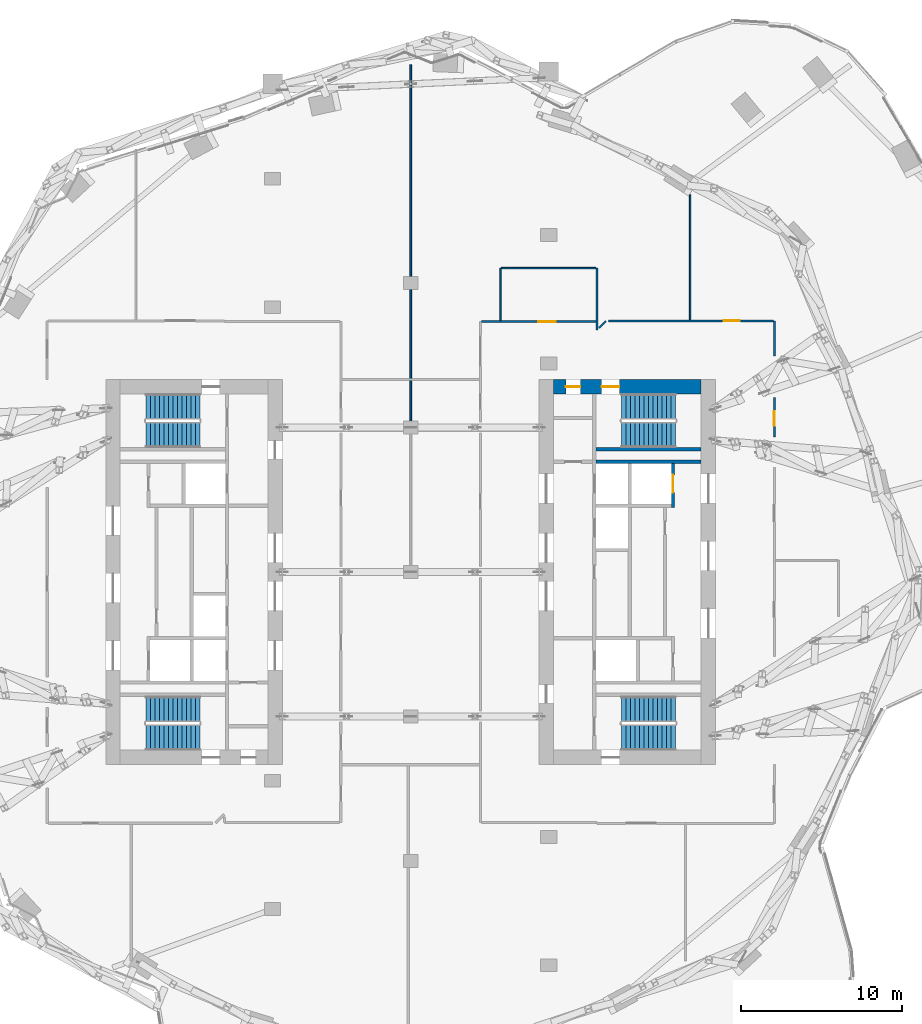
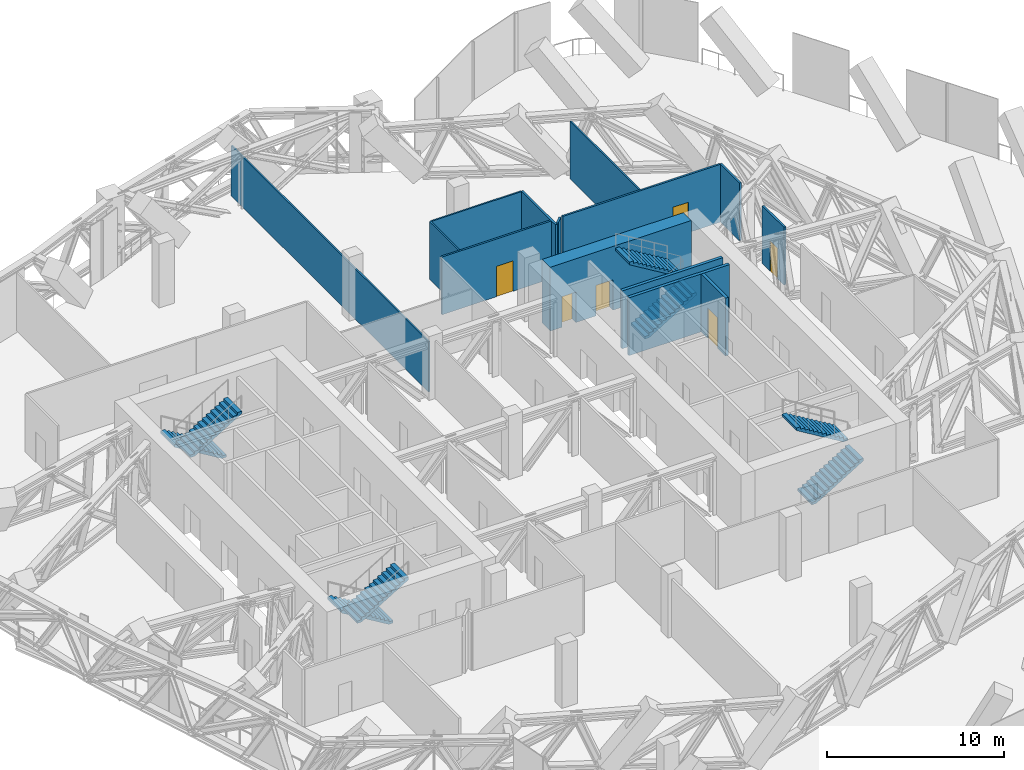
# One storey, part 25 of 31: 14 walls, 8 stair flights, 6 doors, 6 openings, 4 elements without a shape of their own.
"""IFC4 building model written with IfcOpenShell, lengths in metres."""

from ifc_helpers import new_model, si_unit, direction, frame, frame_2d, origin, place, context, subcontext, project, spatial, polyline, rectangle, outline, extrude, material, layer, layer_set, type_object, element, fill, aggregate, save


model = new_model("IFC4")

# Units and contexts
model_context = context("Model", 3, precision=1e-05, world=origin(), true_north=direction((0.0, 1.0)))
body_context = subcontext(model_context, "Body", "Model", "MODEL_VIEW")
ifc_project = project(units=[si_unit("LENGTHUNIT", "METRE"), si_unit("AREAUNIT", "SQUARE_METRE"), si_unit("VOLUMEUNIT", "CUBIC_METRE"), si_unit("PLANEANGLEUNIT", "RADIAN"), si_unit("MASSUNIT", "GRAM", prefix="KILO")], contexts=[model_context])

# Site, building, storey
site_placement = place(None, origin())
site = spatial("IfcSite", under=ifc_project, at=site_placement, CompositionType="ELEMENT")
building_placement = place(site_placement, origin())
building = spatial("IfcBuilding", under=site, at=building_placement, Name="Orlundy Tower", CompositionType="ELEMENT")
storey_placement = place(building_placement, frame((0.0, 0.0, 271.0)))
storey = spatial("IfcBuildingStorey", under=building, at=storey_placement, Name="L72", CompositionType="ELEMENT", Elevation=271.0)

# Wall, openings, doors
ifc_material_1 = material(Name="Concrete C60/75", Category="concrete")
ifc_layer_1 = layer(ifc_material_1, 0.89990234375)
ifc_layer_set_1 = layer_set([ifc_layer_1], Name="CORE WALL 900 C60/75")
wall_type_1 = type_object("IfcWallType", Name="CORE WALL 900 C60/75", PredefinedType="SHEAR", material=ifc_layer_set_1)
wall_1_placement = place(storey_placement, frame((8.89990234375, 11.550048828125, 0.0), z_axis=(0.0, 0.0, 1.0), x_axis=(1.0, 0.0, 0.0)))
wall_1 = element("IfcWall", 1, at=wall_1_placement, inside=storey, type_object=wall_type_1, Name="Core wall E-N L72", PredefinedType="SHEAR", context=body_context, shape_type="SweptSolid", body=[
    extrude(rectangle(XDim=9.2001953125, YDim=0.89990234375, at=frame_2d((4.60009765625, 0.0))), origin(), (0.0, 0.0, 1.0), 4.39990234375),
])
opening_1_placement = place(wall_1_placement, frame((3.0, 0.0, 0.0)))
opening_1 = element("IfcOpeningElement", 2, at=opening_1_placement, cuts=wall_1, Name="Opening 54065", PredefinedType="OPENING", context=body_context, shape_type="SweptSolid", body=[
    extrude(rectangle(XDim=1.10009765625, YDim=2.10009765625, at=frame_2d((0.550048828125, 1.050048828125))), frame((0.0, 0.4599609375, 0.0), z_axis=(0.0, -1.0, 0.0), x_axis=(1.0, 0.0, 0.0)), (0.0, 0.0, 1.0), 0.919921875),
])
opening_2_placement = place(wall_1_placement, frame((0.77001953125, 0.0, 0.0)))
opening_2 = element("IfcOpeningElement", 3, at=opening_2_placement, cuts=wall_1, Name="Opening 54067", PredefinedType="OPENING", context=body_context, shape_type="SweptSolid", body=[
    extrude(rectangle(XDim=0.89990234375, YDim=2.10009765625, at=frame_2d((0.449951171875, 1.050048828125))), frame((0.0, 0.4599609375, 0.0), z_axis=(0.0, -1.0, 0.0), x_axis=(1.0, 0.0, 0.0)), (0.0, 0.0, 1.0), 0.919921875),
])
ifc_material_2 = material(Name="Timber door set", Category="wood")
door_type_1 = type_object("IfcDoorType", Name="Room Door 900x2100", OperationType="SINGLE_SWING_LEFT", PredefinedType="DOOR", material=ifc_material_2)
door_1_placement = place(opening_2_placement, origin())
door_1 = element("IfcDoor", 4, at=door_1_placement, inside=storey, type_object=door_type_1, Name="Store door 54067", OperationType="SINGLE_SWING_LEFT", OverallHeight=2.10009765625, OverallWidth=0.89990234375, PredefinedType="DOOR", context=body_context, shape_type="SweptSolid", body=[
    extrude(rectangle(XDim=0.89990234375, YDim=2.10009765625, at=frame_2d((0.449951171875, 1.050048828125))), frame((0.0, 0.02490234375, 0.0), z_axis=(0.0, -1.0, 0.0), x_axis=(1.0, 0.0, 0.0)), (0.0, 0.0, 1.0), 0.050048828125),
])
fill(opening_2, door_1)
ifc_material_3 = material(Name="Steel door set", Category="steel")
door_type_2 = type_object("IfcDoorType", Name="Stair Door 1100x2100", OperationType="SINGLE_SWING_LEFT", PredefinedType="DOOR", material=ifc_material_3)
door_2_placement = place(opening_1_placement, origin())
door_2 = element("IfcDoor", 5, at=door_2_placement, inside=storey, type_object=door_type_2, Name="Stair door 54065", OperationType="SINGLE_SWING_LEFT", OverallHeight=2.10009765625, OverallWidth=1.10009765625, PredefinedType="DOOR", context=body_context, shape_type="SweptSolid", body=[
    extrude(rectangle(XDim=1.10009765625, YDim=2.10009765625, at=frame_2d((0.550048828125, 1.050048828125))), frame((0.0, 0.02490234375, 0.0), z_axis=(0.0, -1.0, 0.0), x_axis=(1.0, 0.0, 0.0)), (0.0, 0.0, 1.0), 0.050048828125),
])
fill(opening_1, door_2)

# Walls
ifc_material_4 = material(Name="Gypsum board partition")
ifc_layer_2 = layer(ifc_material_4, 0.10009765625)
ifc_layer_set_2 = layer_set([ifc_layer_2], Name="Floor partition 100")
wall_type_2 = type_object("IfcWallType", Name="Floor partition 100", PredefinedType="PARTITIONING", material=ifc_layer_set_2)
wall_2_placement = place(storey_placement, frame((5.64892578125, 18.93310546875, 0.0), z_axis=(0.0, 0.0, 1.0), x_axis=(1.0, 0.0, 0.0)))
element("IfcWall", 6, at=wall_2_placement, inside=storey, type_object=wall_type_2, Name="wall-int-L72-013", PredefinedType="PARTITIONING", context=body_context, shape_type="SweptSolid", body=[
    extrude(rectangle(XDim=5.88818359375, YDim=0.10009765625, at=frame_2d((2.944091796875, 0.0))), origin(), (0.0, 0.0, 1.0), 3.97998046875),
])
wall_3_placement = place(storey_placement, frame((17.405029296875, 15.712890625, 0.0), z_axis=(0.0, 0.0, 1.0), x_axis=(0.0, 1.0, 0.0)))
element("IfcWall", 7, at=wall_3_placement, inside=storey, type_object=wall_type_2, Name="wall-int-L72-021", PredefinedType="PARTITIONING", context=body_context, shape_type="SweptSolid", body=[
    extrude(rectangle(XDim=7.7919921875, YDim=0.10009765625, at=frame_2d((3.89599609375, 0.0))), origin(), (0.0, 0.0, 1.0), 3.97998046875),
])
wall_4_placement = place(storey_placement, frame((5.59912109375, 15.6640625, 0.0), z_axis=(0.0, 0.0, 1.0), x_axis=(0.0, 1.0, 0.0)))
element("IfcWall", 8, at=wall_4_placement, inside=storey, type_object=wall_type_2, Name="wall-int-L72-024", PredefinedType="PARTITIONING", context=body_context, shape_type="SweptSolid", body=[
    extrude(rectangle(XDim=3.26904296875, YDim=0.10009765625, at=frame_2d((1.634521484375, 0.0))), origin(), (0.0, 0.0, 1.0), 3.97998046875),
])
ifc_material_5 = material(Name="Gypsum board partition")
ifc_layer_3 = layer(ifc_material_5, 0.10009765625)
ifc_layer_set_3 = layer_set([ifc_layer_3], Name="Floor partition 100 B")
wall_type_3 = type_object("IfcWallType", Name="Floor partition 100 B", PredefinedType="PARTITIONING", material=ifc_layer_set_3)
wall_5_placement = place(storey_placement, frame((0.0, 9.3349609375, 0.0), z_axis=(0.0, 0.0, 1.0), x_axis=(0.0, 1.0, 0.0)))
element("IfcWall", 9, at=wall_5_placement, inside=storey, type_object=wall_type_3, Name="wall-int-L72-030", PredefinedType="PARTITIONING", context=body_context, shape_type="SweptSolid", body=[
    extrude(rectangle(XDim=22.2861328125, YDim=0.10009765625, at=frame_2d((11.14306640625, 0.0))), origin(), (0.0, 0.0, 1.0), 3.477783203125),
])

# Wall, opening, door
ifc_material_6 = material(Name="Gypsum board partition, double layer")
ifc_layer_4 = layer(ifc_material_6, 0.125)
ifc_layer_set_4 = layer_set([ifc_layer_4], Name="Floor partition 125")
wall_type_4 = type_object("IfcWallType", Name="Floor partition 125", PredefinedType="PARTITIONING", material=ifc_layer_set_4)
wall_6_placement = place(storey_placement, frame((4.412109375, 15.60107421875, 0.0), z_axis=(0.0, 0.0, 1.0), x_axis=(1.0, 0.0, 0.0)))
wall_6 = element("IfcWall", 10, at=wall_6_placement, inside=storey, type_object=wall_type_4, Name="wall-int-L72-010", PredefinedType="PARTITIONING", context=body_context, shape_type="SweptSolid", body=[
    extrude(rectangle(XDim=7.125, YDim=0.125, at=frame_2d((3.5625, 0.0))), origin(), (0.0, 0.0, 1.0), 3.97998046875),
])
opening_3_placement = place(wall_6_placement, frame((3.53662109375, 0.0, 0.0)))
opening_3 = element("IfcOpeningElement", 11, at=opening_3_placement, cuts=wall_6, Name="Opening 54119", PredefinedType="OPENING", context=body_context, shape_type="SweptSolid", body=[
    extrude(rectangle(XDim=1.10009765625, YDim=2.10009765625, at=frame_2d((0.550048828125, 1.050048828125))), frame((0.0, 0.072509765625, 0.0), z_axis=(0.0, -1.0, 0.0), x_axis=(1.0, 0.0, 0.0)), (0.0, 0.0, 1.0), 0.14501953125),
])
ifc_material_7 = material(Name="Timber door leaf", Category="wood")
door_type_3 = type_object("IfcDoorType", Name="Floor door xwide 1100 FD30S", OperationType="NOTDEFINED", PredefinedType="DOOR", material=ifc_material_7)
door_3_placement = place(opening_3_placement, origin())
door_3 = element("IfcDoor", 12, at=door_3_placement, inside=storey, type_object=door_type_3, Name="Door 54119", OperationType="SINGLE_SWING_RIGHT", OverallHeight=2.10009765625, OverallWidth=1.10009765625, PredefinedType="DOOR", context=body_context, shape_type="SweptSolid", body=[
    extrude(rectangle(XDim=1.10009765625, YDim=2.10009765625, at=frame_2d((0.550048828125, 1.050048828125))), frame((0.0, 0.02490234375, 0.0), z_axis=(0.0, -1.0, 0.0), x_axis=(1.0, 0.0, 0.0)), (0.0, 0.0, 1.0), 0.050048828125),
])
fill(opening_3, door_3)

wall_7_placement = place(storey_placement, frame((12.31103515625, 15.65087890625, 0.0), z_axis=(0.0, 0.0, 1.0), x_axis=(1.0, 0.0, 0.0)))
wall_7 = element("IfcWall", 13, at=wall_7_placement, inside=storey, type_object=wall_type_4, Name="wall-int-L72-012", PredefinedType="PARTITIONING", context=body_context, shape_type="SweptSolid", body=[
    extrude(rectangle(XDim=10.27587890625, YDim=0.125, at=frame_2d((5.137939453125, 0.0))), origin(), (0.0, 0.0, 1.0), 3.97998046875),
])
opening_4_placement = place(wall_7_placement, frame((7.194091796875, 0.0, 0.0)))
opening_4 = element("IfcOpeningElement", 14, at=opening_4_placement, cuts=wall_7, Name="Opening 54110", PredefinedType="OPENING", context=body_context, shape_type="SweptSolid", body=[
    extrude(rectangle(XDim=1.0, YDim=2.10009765625, at=frame_2d((0.5, 1.050048828125))), frame((0.0, 0.072509765625, 0.0), z_axis=(0.0, -1.0, 0.0), x_axis=(1.0, 0.0, 0.0)), (0.0, 0.0, 1.0), 0.14501953125),
])
ifc_material_8 = material(Name="Timber door leaf", Category="wood")
door_type_4 = type_object("IfcDoorType", Name="Floor door wide 1000 FD30S", OperationType="NOTDEFINED", PredefinedType="DOOR", material=ifc_material_8)
door_4_placement = place(opening_4_placement, origin())
door_4 = element("IfcDoor", 15, at=door_4_placement, inside=storey, type_object=door_type_4, Name="Door 54110", OperationType="SINGLE_SWING_RIGHT", OverallHeight=2.10009765625, OverallWidth=1.0, PredefinedType="DOOR", context=body_context, shape_type="SweptSolid", body=[
    extrude(rectangle(XDim=1.0, YDim=2.10009765625, at=frame_2d((0.5, 1.050048828125))), frame((0.0, 0.02490234375, 0.0), z_axis=(0.0, -1.0, 0.0), x_axis=(1.0, 0.0, 0.0)), (0.0, 0.0, 1.0), 0.050048828125),
])
fill(opening_4, door_4)

# Wall
wall_8_placement = place(storey_placement, frame((11.72998046875, 15.20703125, 0.0), z_axis=(0.0, 0.0, 1.0), x_axis=(0.707310822952, 0.706902680526, 0.0)))
element("IfcWall", 16, at=wall_8_placement, inside=storey, type_object=wall_type_4, Name="wall-int-L72-015", PredefinedType="PARTITIONING", context=body_context, shape_type="SweptSolid", body=[
    extrude(rectangle(XDim=0.59814453125, YDim=0.125, at=frame_2d((0.299072265625, 0.0))), origin(), (0.0, 0.0, 1.0), 3.97998046875),
])

# Wall, opening, door
wall_9_placement = place(storey_placement, frame((22.65087890625, 10.87109375, 0.0), z_axis=(0.0, 0.0, 1.0), x_axis=(0.0, -1.0, 0.0)))
wall_9 = element("IfcWall", 17, at=wall_9_placement, inside=storey, type_object=wall_type_4, Name="wall-int-L72-019", PredefinedType="PARTITIONING", context=body_context, shape_type="SweptSolid", body=[
    extrude(rectangle(XDim=2.446044921875, YDim=0.125, at=frame_2d((1.22314453125, 0.0))), origin(), (0.0, 0.0, 1.0), 3.97998046875),
])
opening_5_placement = place(wall_9_placement, frame((0.85009765625, 0.0, 0.0)))
opening_5 = element("IfcOpeningElement", 18, at=opening_5_placement, cuts=wall_9, Name="Opening 54109", PredefinedType="OPENING", context=body_context, shape_type="SweptSolid", body=[
    extrude(rectangle(XDim=0.89990234375, YDim=2.10009765625, at=frame_2d((0.449951171875, 1.050048828125))), frame((0.0, 0.072509765625, 0.0), z_axis=(0.0, -1.0, 0.0), x_axis=(1.0, 0.0, 0.0)), (0.0, 0.0, 1.0), 0.14501953125),
])
ifc_material_9 = material(Name="Timber door leaf", Category="wood")
door_type_5 = type_object("IfcDoorType", Name="Floor door single 900 FD30S", OperationType="NOTDEFINED", PredefinedType="DOOR", material=ifc_material_9)
door_5_placement = place(opening_5_placement, origin())
door_5 = element("IfcDoor", 19, at=door_5_placement, inside=storey, type_object=door_type_5, Name="Door 54109", OperationType="SINGLE_SWING_RIGHT", OverallHeight=2.10009765625, OverallWidth=0.89990234375, PredefinedType="DOOR", context=body_context, shape_type="SweptSolid", body=[
    extrude(rectangle(XDim=0.89990234375, YDim=2.10009765625, at=frame_2d((0.449951171875, 1.050048828125))), frame((0.0, 0.02490234375, 0.0), z_axis=(0.0, -1.0, 0.0), x_axis=(1.0, 0.0, 0.0)), (0.0, 0.0, 1.0), 0.050048828125),
])
fill(opening_5, door_5)

# Walls
wall_10_placement = place(storey_placement, frame((22.65087890625, 13.451904296875, 0.0), z_axis=(0.0, 0.0, 1.0), x_axis=(0.0, 1.0, 0.0)))
element("IfcWall", 20, at=wall_10_placement, inside=storey, type_object=wall_type_4, Name="wall-int-L72-020", PredefinedType="PARTITIONING", context=body_context, shape_type="SweptSolid", body=[
    extrude(rectangle(XDim=2.197998046875, YDim=0.125, at=frame_2d((1.09912109375, 0.0))), origin(), (0.0, 0.0, 1.0), 3.97998046875),
])
wall_11_placement = place(storey_placement, frame((11.60107421875, 15.092041015625, 0.0), z_axis=(0.0, 0.0, 1.0), x_axis=(0.0, 1.0, 0.0)))
element("IfcWall", 21, at=wall_11_placement, inside=storey, type_object=wall_type_4, Name="wall-int-L72-023", PredefinedType="PARTITIONING", context=body_context, shape_type="SweptSolid", body=[
    extrude(rectangle(XDim=3.83984375, YDim=0.125, at=frame_2d((1.919921875, 0.0))), origin(), (0.0, 0.0, 1.0), 3.97998046875),
])
ifc_material_10 = material(Name="Concrete C40/50", Category="concrete")
ifc_layer_5 = layer(ifc_material_10, 0.199951171875)
ifc_layer_set_5 = layer_set([ifc_layer_5], Name="Load-bearing Shaft Wall 200")
wall_type_5 = type_object("IfcWallType", Name="Load-bearing Shaft Wall 200", PredefinedType="SOLIDWALL", material=ifc_layer_set_5)
wall_12_placement = place(storey_placement, frame((11.5400390625, 7.64990234375, 0.0), z_axis=(0.0, 0.0, 1.0), x_axis=(1.0, 0.0, 0.0)))
element("IfcWall", 22, at=wall_12_placement, inside=storey, type_object=wall_type_5, Name="Shaft wall E54-stair-side-s", PredefinedType="SOLIDWALL", context=body_context, shape_type="SweptSolid", body=[
    extrude(rectangle(XDim=6.56005859375, YDim=0.199951171875, at=frame_2d((3.280029296875, 0.0))), origin(), (0.0, 0.0, 1.0), 3.989990234375),
])
ifc_material_11 = material(Name="Fire-rated blockwork shaft wall", Category="masonry")
ifc_layer_6 = layer(ifc_material_11, 0.199951171875)
ifc_layer_set_6 = layer_set([ifc_layer_6], Name="Shaft Wall 200")
wall_type_6 = type_object("IfcWallType", Name="Shaft Wall 200", PredefinedType="SOLIDWALL", material=ifc_layer_set_6)
wall_13_placement = place(storey_placement, frame((11.5400390625, 6.875, 0.0), z_axis=(0.0, 0.0, 1.0), x_axis=(1.0, 0.0, 0.0)))
element("IfcWall", 23, at=wall_13_placement, inside=storey, type_object=wall_type_6, Name="Shaft wall E54-zone-s", PredefinedType="SOLIDWALL", context=body_context, shape_type="SweptSolid", body=[
    extrude(rectangle(XDim=6.56005859375, YDim=0.199951171875, at=frame_2d((3.280029296875, 0.0))), origin(), (0.0, 0.0, 1.0), 3.989990234375),
])

# Wall, opening, door
wall_14_placement = place(storey_placement, frame((16.340087890625, 6.77490234375, 0.0), z_axis=(0.0, 0.0, 1.0), x_axis=(0.0, -1.0, 0.0)))
wall_14 = element("IfcWall", 24, at=wall_14_placement, inside=storey, type_object=wall_type_6, Name="Shaft wall E54-front-o-a", PredefinedType="SOLIDWALL", context=body_context, shape_type="SweptSolid", body=[
    extrude(rectangle(XDim=2.75, YDim=0.199951171875, at=frame_2d((1.375, 0.0))), origin(), (0.0, 0.0, 1.0), 3.989990234375),
])
opening_6_placement = place(wall_14_placement, frame((0.72509765625, 0.0, 0.0)))
opening_6 = element("IfcOpeningElement", 25, at=opening_6_placement, cuts=wall_14, Name="Opening 54051", PredefinedType="OPENING", context=body_context, shape_type="SweptSolid", body=[
    extrude(rectangle(XDim=1.10009765625, YDim=2.10009765625, at=frame_2d((0.550048828125, 1.050048828125))), frame((0.0, 0.110107421875, 0.0), z_axis=(0.0, -1.0, 0.0), x_axis=(1.0, 0.0, 0.0)), (0.0, 0.0, 1.0), 0.22021484375),
])
ifc_material_12 = material(Name="Steel door set", Category="steel")
door_type_6 = type_object("IfcDoorType", Name="Landing Door 1100x2100", OperationType="DOUBLE_DOOR_SLIDING", PredefinedType="DOOR", material=ifc_material_12)
door_6_placement = place(opening_6_placement, origin())
door_6 = element("IfcDoor", 26, at=door_6_placement, inside=storey, type_object=door_type_6, Name="Lift landing door LV-02 54051", OperationType="DOUBLE_DOOR_SLIDING", OverallHeight=2.10009765625, OverallWidth=1.10009765625, PredefinedType="DOOR", context=body_context, shape_type="SweptSolid", body=[
    extrude(rectangle(XDim=1.10009765625, YDim=2.10009765625, at=frame_2d((0.550048828125, 1.050048828125))), frame((0.0, 0.02490234375, 0.0), z_axis=(0.0, -1.0, 0.0), x_axis=(1.0, 0.0, 0.0)), (0.0, 0.0, 1.0), 0.050048828125),
])
fill(opening_6, door_6)

# Stair, stair flights
ifc_material_13 = material(Name="Concrete C50/60", Category="concrete")
stair_type = type_object("IfcStairType", Name="Exit Stair 26 risers", PredefinedType="HALF_TURN_STAIR", material=ifc_material_13)
stair_1_placement = place(storey_placement, origin())
stair_1 = element("IfcStair", 27, at=stair_1_placement, inside=storey, type_object=stair_type, Name="L72 Exit Stair ST-W1", PredefinedType="HALF_TURN_STAIR")
ifc_material_14 = material(Name="Concrete C50/60", Category="concrete")
stair_flight_type = type_object("IfcStairFlightType", Name="Stair Flight 13 risers", PredefinedType="STRAIGHT", material=ifc_material_14)
stair_flight_1_placement = place(storey_placement, frame((-13.139892578125, 10.300048828125, 0.0), z_axis=(0.0, 0.0, 1.0), x_axis=(-1.0, 0.0, 0.0)))
stair_flight_1 = element("IfcStairFlight", 28, at=stair_flight_1_placement, type_object=stair_flight_type, Name="ST-W1 flight 1", NumberOfRisers=13, NumberOfTreads=12, PredefinedType="STRAIGHT", RiserHeight=0.169230769, TreadLength=0.28, context=body_context, shape_type="SweptSolid", body=[
    extrude(outline(polyline([(0.0, 0.0), (0.0, 0.169189453125), (0.280029296875, 0.169189453125), (0.280029296875, 0.33837890625), (0.56005859375, 0.33837890625), (0.56005859375, 0.5078125), (0.840087890625, 0.5078125), (0.840087890625, 0.677001953125), (1.1201171875, 0.677001953125), (1.1201171875, 0.84619140625), (1.39990234375, 0.84619140625), (1.39990234375, 1.015380859375), (1.679931640625, 1.015380859375), (1.679931640625, 1.1845703125), (1.9599609375, 1.1845703125), (1.9599609375, 1.353759765625), (2.239990234375, 1.353759765625), (2.239990234375, 1.523193359375), (2.52001953125, 1.523193359375), (2.52001953125, 1.6923828125), (2.800048828125, 1.6923828125), (2.800048828125, 1.861572265625), (3.080078125, 1.861572265625), (3.080078125, 2.03076171875), (3.360107421875, 2.03076171875), (3.360107421875, 2.199951171875), (3.360107421875, 1.855712890625), (0.289794921875, 0.0), (0.0, 0.0)])), frame((0.0, 0.800048828125, 0.0), z_axis=(0.0, -1.0, 0.0), x_axis=(1.0, 0.0, 0.0)), (0.0, 0.0, 1.0), 1.60009765625),
])
stair_flight_2_placement = place(storey_placement, frame((-16.5, 8.550048828125, 2.199951171875), z_axis=(0.0, 0.0, 1.0), x_axis=(1.0, 0.0, 0.0)))
stair_flight_2 = element("IfcStairFlight", 29, at=stair_flight_2_placement, type_object=stair_flight_type, Name="ST-W1 flight 2", NumberOfRisers=13, NumberOfTreads=12, PredefinedType="STRAIGHT", RiserHeight=0.169230769, TreadLength=0.28, context=body_context, shape_type="SweptSolid", body=[
    extrude(outline(polyline([(0.0, 0.0), (0.0, 0.169189453125), (0.280029296875, 0.169189453125), (0.280029296875, 0.33837890625), (0.56005859375, 0.33837890625), (0.56005859375, 0.5078125), (0.840087890625, 0.5078125), (0.840087890625, 0.677001953125), (1.1201171875, 0.677001953125), (1.1201171875, 0.84619140625), (1.39990234375, 0.84619140625), (1.39990234375, 1.015380859375), (1.679931640625, 1.015380859375), (1.679931640625, 1.1845703125), (1.9599609375, 1.1845703125), (1.9599609375, 1.353759765625), (2.239990234375, 1.353759765625), (2.239990234375, 1.523193359375), (2.52001953125, 1.523193359375), (2.52001953125, 1.6923828125), (2.800048828125, 1.6923828125), (2.800048828125, 1.861572265625), (3.080078125, 1.861572265625), (3.080078125, 2.03076171875), (3.360107421875, 2.03076171875), (3.360107421875, 2.199951171875), (3.360107421875, 1.855712890625), (0.289794921875, 0.0), (0.0, 0.0)])), frame((0.0, 0.800048828125, 0.0), z_axis=(0.0, -1.0, 0.0), x_axis=(1.0, 0.0, 0.0)), (0.0, 0.0, 1.0), 1.60009765625),
])
aggregate(stair_1, [stair_flight_1, stair_flight_2])

stair_2_placement = place(storey_placement, origin())
stair_2 = element("IfcStair", 30, at=stair_2_placement, inside=storey, type_object=stair_type, Name="L72 Exit Stair ST-W2", PredefinedType="HALF_TURN_STAIR")
stair_flight_3_placement = place(storey_placement, frame((-13.139892578125, -8.550048828125, 0.0), z_axis=(0.0, 0.0, 1.0), x_axis=(-1.0, 0.0, 0.0)))
stair_flight_3 = element("IfcStairFlight", 31, at=stair_flight_3_placement, type_object=stair_flight_type, Name="ST-W2 flight 1", NumberOfRisers=13, NumberOfTreads=12, PredefinedType="STRAIGHT", RiserHeight=0.169230769, TreadLength=0.28, context=body_context, shape_type="SweptSolid", body=[
    extrude(outline(polyline([(0.0, 0.0), (0.0, 0.169189453125), (0.280029296875, 0.169189453125), (0.280029296875, 0.33837890625), (0.56005859375, 0.33837890625), (0.56005859375, 0.5078125), (0.840087890625, 0.5078125), (0.840087890625, 0.677001953125), (1.1201171875, 0.677001953125), (1.1201171875, 0.84619140625), (1.39990234375, 0.84619140625), (1.39990234375, 1.015380859375), (1.679931640625, 1.015380859375), (1.679931640625, 1.1845703125), (1.9599609375, 1.1845703125), (1.9599609375, 1.353759765625), (2.239990234375, 1.353759765625), (2.239990234375, 1.523193359375), (2.52001953125, 1.523193359375), (2.52001953125, 1.6923828125), (2.800048828125, 1.6923828125), (2.800048828125, 1.861572265625), (3.080078125, 1.861572265625), (3.080078125, 2.03076171875), (3.360107421875, 2.03076171875), (3.360107421875, 2.199951171875), (3.360107421875, 1.855712890625), (0.289794921875, 0.0), (0.0, 0.0)])), frame((0.0, 0.800048828125, 0.0), z_axis=(0.0, -1.0, 0.0), x_axis=(1.0, 0.0, 0.0)), (0.0, 0.0, 1.0), 1.60009765625),
])
stair_flight_4_placement = place(storey_placement, frame((-16.5, -10.300048828125, 2.199951171875), z_axis=(0.0, 0.0, 1.0), x_axis=(1.0, 0.0, 0.0)))
stair_flight_4 = element("IfcStairFlight", 32, at=stair_flight_4_placement, type_object=stair_flight_type, Name="ST-W2 flight 2", NumberOfRisers=13, NumberOfTreads=12, PredefinedType="STRAIGHT", RiserHeight=0.169230769, TreadLength=0.28, context=body_context, shape_type="SweptSolid", body=[
    extrude(outline(polyline([(0.0, 0.0), (0.0, 0.169189453125), (0.280029296875, 0.169189453125), (0.280029296875, 0.33837890625), (0.56005859375, 0.33837890625), (0.56005859375, 0.5078125), (0.840087890625, 0.5078125), (0.840087890625, 0.677001953125), (1.1201171875, 0.677001953125), (1.1201171875, 0.84619140625), (1.39990234375, 0.84619140625), (1.39990234375, 1.015380859375), (1.679931640625, 1.015380859375), (1.679931640625, 1.1845703125), (1.9599609375, 1.1845703125), (1.9599609375, 1.353759765625), (2.239990234375, 1.353759765625), (2.239990234375, 1.523193359375), (2.52001953125, 1.523193359375), (2.52001953125, 1.6923828125), (2.800048828125, 1.6923828125), (2.800048828125, 1.861572265625), (3.080078125, 1.861572265625), (3.080078125, 2.03076171875), (3.360107421875, 2.03076171875), (3.360107421875, 2.199951171875), (3.360107421875, 1.855712890625), (0.289794921875, 0.0), (0.0, 0.0)])), frame((0.0, 0.800048828125, 0.0), z_axis=(0.0, -1.0, 0.0), x_axis=(1.0, 0.0, 0.0)), (0.0, 0.0, 1.0), 1.60009765625),
])
aggregate(stair_2, [stair_flight_3, stair_flight_4])

stair_3_placement = place(storey_placement, origin())
stair_3 = element("IfcStair", 33, at=stair_3_placement, inside=storey, type_object=stair_type, Name="L72 Exit Stair ST-E1", PredefinedType="HALF_TURN_STAIR")
stair_flight_5_placement = place(storey_placement, frame((13.139892578125, -10.300048828125, 0.0), z_axis=(0.0, 0.0, 1.0), x_axis=(1.0, 0.0, 0.0)))
stair_flight_5 = element("IfcStairFlight", 34, at=stair_flight_5_placement, type_object=stair_flight_type, Name="ST-E1 flight 1", NumberOfRisers=13, NumberOfTreads=12, PredefinedType="STRAIGHT", RiserHeight=0.169230769, TreadLength=0.28, context=body_context, shape_type="SweptSolid", body=[
    extrude(outline(polyline([(0.0, 0.0), (0.0, 0.169189453125), (0.280029296875, 0.169189453125), (0.280029296875, 0.33837890625), (0.56005859375, 0.33837890625), (0.56005859375, 0.5078125), (0.840087890625, 0.5078125), (0.840087890625, 0.677001953125), (1.1201171875, 0.677001953125), (1.1201171875, 0.84619140625), (1.39990234375, 0.84619140625), (1.39990234375, 1.015380859375), (1.679931640625, 1.015380859375), (1.679931640625, 1.1845703125), (1.9599609375, 1.1845703125), (1.9599609375, 1.353759765625), (2.239990234375, 1.353759765625), (2.239990234375, 1.523193359375), (2.52001953125, 1.523193359375), (2.52001953125, 1.6923828125), (2.800048828125, 1.6923828125), (2.800048828125, 1.861572265625), (3.080078125, 1.861572265625), (3.080078125, 2.03076171875), (3.360107421875, 2.03076171875), (3.360107421875, 2.199951171875), (3.360107421875, 1.855712890625), (0.289794921875, 0.0), (0.0, 0.0)])), frame((0.0, 0.800048828125, 0.0), z_axis=(0.0, -1.0, 0.0), x_axis=(1.0, 0.0, 0.0)), (0.0, 0.0, 1.0), 1.60009765625),
])
stair_flight_6_placement = place(storey_placement, frame((16.5, -8.550048828125, 2.199951171875), z_axis=(0.0, 0.0, 1.0), x_axis=(-1.0, 0.0, 0.0)))
stair_flight_6 = element("IfcStairFlight", 35, at=stair_flight_6_placement, type_object=stair_flight_type, Name="ST-E1 flight 2", NumberOfRisers=13, NumberOfTreads=12, PredefinedType="STRAIGHT", RiserHeight=0.169230769, TreadLength=0.28, context=body_context, shape_type="SweptSolid", body=[
    extrude(outline(polyline([(0.0, 0.0), (0.0, 0.169189453125), (0.280029296875, 0.169189453125), (0.280029296875, 0.33837890625), (0.56005859375, 0.33837890625), (0.56005859375, 0.5078125), (0.840087890625, 0.5078125), (0.840087890625, 0.677001953125), (1.1201171875, 0.677001953125), (1.1201171875, 0.84619140625), (1.39990234375, 0.84619140625), (1.39990234375, 1.015380859375), (1.679931640625, 1.015380859375), (1.679931640625, 1.1845703125), (1.9599609375, 1.1845703125), (1.9599609375, 1.353759765625), (2.239990234375, 1.353759765625), (2.239990234375, 1.523193359375), (2.52001953125, 1.523193359375), (2.52001953125, 1.6923828125), (2.800048828125, 1.6923828125), (2.800048828125, 1.861572265625), (3.080078125, 1.861572265625), (3.080078125, 2.03076171875), (3.360107421875, 2.03076171875), (3.360107421875, 2.199951171875), (3.360107421875, 1.855712890625), (0.289794921875, 0.0), (0.0, 0.0)])), frame((0.0, 0.800048828125, 0.0), z_axis=(0.0, -1.0, 0.0), x_axis=(1.0, 0.0, 0.0)), (0.0, 0.0, 1.0), 1.60009765625),
])
aggregate(stair_3, [stair_flight_5, stair_flight_6])

stair_4_placement = place(storey_placement, origin())
stair_4 = element("IfcStair", 36, at=stair_4_placement, inside=storey, type_object=stair_type, Name="L72 Exit Stair ST-E2", PredefinedType="HALF_TURN_STAIR")
stair_flight_7_placement = place(storey_placement, frame((13.139892578125, 8.550048828125, 0.0), z_axis=(0.0, 0.0, 1.0), x_axis=(1.0, 0.0, 0.0)))
stair_flight_7 = element("IfcStairFlight", 37, at=stair_flight_7_placement, type_object=stair_flight_type, Name="ST-E2 flight 1", NumberOfRisers=13, NumberOfTreads=12, PredefinedType="STRAIGHT", RiserHeight=0.169230769, TreadLength=0.28, context=body_context, shape_type="SweptSolid", body=[
    extrude(outline(polyline([(0.0, 0.0), (0.0, 0.169189453125), (0.280029296875, 0.169189453125), (0.280029296875, 0.33837890625), (0.56005859375, 0.33837890625), (0.56005859375, 0.5078125), (0.840087890625, 0.5078125), (0.840087890625, 0.677001953125), (1.1201171875, 0.677001953125), (1.1201171875, 0.84619140625), (1.39990234375, 0.84619140625), (1.39990234375, 1.015380859375), (1.679931640625, 1.015380859375), (1.679931640625, 1.1845703125), (1.9599609375, 1.1845703125), (1.9599609375, 1.353759765625), (2.239990234375, 1.353759765625), (2.239990234375, 1.523193359375), (2.52001953125, 1.523193359375), (2.52001953125, 1.6923828125), (2.800048828125, 1.6923828125), (2.800048828125, 1.861572265625), (3.080078125, 1.861572265625), (3.080078125, 2.03076171875), (3.360107421875, 2.03076171875), (3.360107421875, 2.199951171875), (3.360107421875, 1.855712890625), (0.289794921875, 0.0), (0.0, 0.0)])), frame((0.0, 0.800048828125, 0.0), z_axis=(0.0, -1.0, 0.0), x_axis=(1.0, 0.0, 0.0)), (0.0, 0.0, 1.0), 1.60009765625),
])
stair_flight_8_placement = place(storey_placement, frame((16.5, 10.300048828125, 2.199951171875), z_axis=(0.0, 0.0, 1.0), x_axis=(-1.0, 0.0, 0.0)))
stair_flight_8 = element("IfcStairFlight", 38, at=stair_flight_8_placement, type_object=stair_flight_type, Name="ST-E2 flight 2", NumberOfRisers=13, NumberOfTreads=12, PredefinedType="STRAIGHT", RiserHeight=0.169230769, TreadLength=0.28, context=body_context, shape_type="SweptSolid", body=[
    extrude(outline(polyline([(0.0, 0.0), (0.0, 0.169189453125), (0.280029296875, 0.169189453125), (0.280029296875, 0.33837890625), (0.56005859375, 0.33837890625), (0.56005859375, 0.5078125), (0.840087890625, 0.5078125), (0.840087890625, 0.677001953125), (1.1201171875, 0.677001953125), (1.1201171875, 0.84619140625), (1.39990234375, 0.84619140625), (1.39990234375, 1.015380859375), (1.679931640625, 1.015380859375), (1.679931640625, 1.1845703125), (1.9599609375, 1.1845703125), (1.9599609375, 1.353759765625), (2.239990234375, 1.353759765625), (2.239990234375, 1.523193359375), (2.52001953125, 1.523193359375), (2.52001953125, 1.6923828125), (2.800048828125, 1.6923828125), (2.800048828125, 1.861572265625), (3.080078125, 1.861572265625), (3.080078125, 2.03076171875), (3.360107421875, 2.03076171875), (3.360107421875, 2.199951171875), (3.360107421875, 1.855712890625), (0.289794921875, 0.0), (0.0, 0.0)])), frame((0.0, 0.800048828125, 0.0), z_axis=(0.0, -1.0, 0.0), x_axis=(1.0, 0.0, 0.0)), (0.0, 0.0, 1.0), 1.60009765625),
])
aggregate(stair_4, [stair_flight_7, stair_flight_8])

save(model, "model.ifc")
